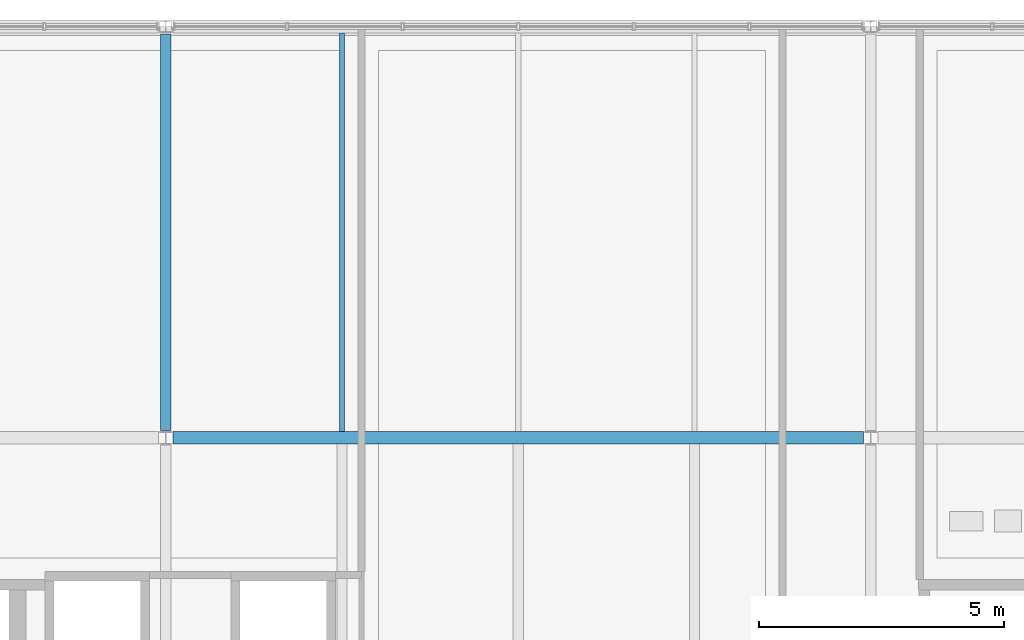
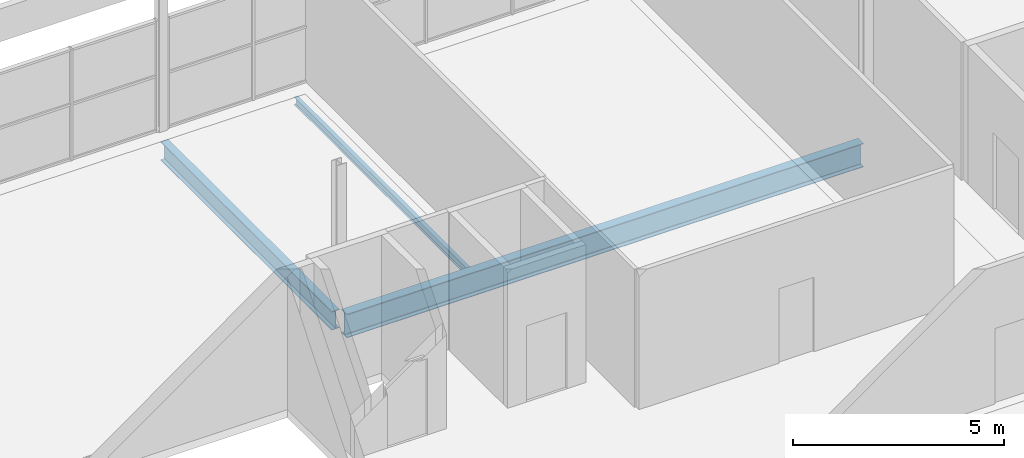
# One storey, part 20 of 43: 3 beams.
"""IFC4 building model written with IfcOpenShell, lengths in metres."""

from ifc_helpers import new_model, si_unit, direction, frame, origin, origin_2d, place, context, subcontext, project, spatial, i_section, extrude, material, material_profile, profile_set, type_object, element, save


model = new_model("IFC4")

# Units and contexts
model_context = context("Model", 3, precision=1e-05, world=origin(), true_north=direction((0.0, 1.0)))
body_context = subcontext(model_context, "Body", "Model", "MODEL_VIEW")
ifc_project = project(units=[si_unit("LENGTHUNIT", "METRE"), si_unit("AREAUNIT", "SQUARE_METRE"), si_unit("VOLUMEUNIT", "CUBIC_METRE"), si_unit("PLANEANGLEUNIT", "RADIAN"), si_unit("MASSUNIT", "GRAM", prefix="KILO"), si_unit("THERMODYNAMICTEMPERATUREUNIT", "KELVIN")], contexts=[model_context])

# Site, building, storey
site_placement = place(None, origin())
site = spatial("IfcSite", under=ifc_project, at=site_placement, CompositionType="ELEMENT")
building_placement = place(site_placement, origin())
building = spatial("IfcBuilding", under=site, at=building_placement, Name="Nduvali Passage Aquatics Centre", CompositionType="ELEMENT")
storey_placement = place(building_placement, frame((0.0, 0.0, 17.39990234375)))
storey = spatial("IfcBuildingStorey", under=building, at=storey_placement, Name="L04", CompositionType="ELEMENT", Elevation=17.39990234375)

# Beams
ifc_material = material(Name="Steel S355", Category="steel")
ifc_material_profile_1 = material_profile(ifc_material, i_section(OverallWidth=0.210693359375, OverallDepth=0.53955078125, WebThickness=0.01171875, FlangeThickness=0.018798828125, FilletRadius=0.0126953125, at=origin_2d()), Name="UKB 533x210x109")
ifc_profile_set_1 = profile_set([ifc_material_profile_1], Name="Steel S355")
beam_type_1 = type_object("IfcBeamType", Name="STR-BM-UKB533", PredefinedType="BEAM", material=ifc_profile_set_1)
beam_1_placement = place(storey_placement, frame((82.800048828125, 109.35009765625, -0.503662109375), z_axis=(0.0, 1.0, 0.0), x_axis=(-1.0, 0.0, 0.0)))
element("IfcBeam", 1, at=beam_1_placement, inside=storey, type_object=beam_type_1, Name="L04 Primary Y-Girder B6-1379", PredefinedType="BEAM", context=body_context, shape_type="SweptSolid", body=[
    extrude(i_section(OverallWidth=0.210693359375, OverallDepth=0.53955078125, WebThickness=0.01171875, FlangeThickness=0.018798828125, FilletRadius=0.0126953125, at=origin_2d()), origin(), (0.0, 0.0, 1.0), 8.099853515625),
])
ifc_material_profile_2 = material_profile(ifc_material, i_section(OverallWidth=0.253662109375, OverallDepth=0.68359375, WebThickness=0.012451171875, FlangeThickness=0.01904296875, FilletRadius=0.01513671875, at=origin_2d()), Name="UKB 686x254x140")
ifc_profile_set_2 = profile_set([ifc_material_profile_2], Name="Steel S355")
beam_type_2 = type_object("IfcBeamType", Name="STR-BM-UKB686", PredefinedType="BEAM", material=ifc_profile_set_2)
beam_2_placement = place(storey_placement, frame((82.949951171875, 109.199951171875, -0.57568359375), z_axis=(1.0, 0.0, 0.0), x_axis=(0.0, 1.0, 0.0)))
element("IfcBeam", 2, at=beam_2_placement, inside=storey, type_object=beam_type_2, Name="L04 Primary X-Girder B4-1345", PredefinedType="BEAM", context=body_context, shape_type="SweptSolid", body=[
    extrude(i_section(OverallWidth=0.253662109375, OverallDepth=0.68359375, WebThickness=0.012451171875, FlangeThickness=0.01904296875, FilletRadius=0.01513671875, at=origin_2d()), origin(), (0.0, 0.0, 1.0), 14.10009765625),
])
ifc_material_profile_3 = material_profile(ifc_material, i_section(OverallWidth=0.110107421875, OverallDepth=0.219970703125, WebThickness=0.005859375, FlangeThickness=0.00927734375, FilletRadius=0.011962890625, at=origin_2d()), Name="IPE 220")
ifc_profile_set_3 = profile_set([ifc_material_profile_3], Name="Steel S355")
beam_type_3 = type_object("IfcBeamType", Name="STR-JST-IPE220", PredefinedType="JOIST", material=ifc_profile_set_3)
beam_3_placement = place(storey_placement, frame((86.39990234375, 109.326904296875, -0.343994140625), z_axis=(0.0, 1.0, 0.0), x_axis=(-1.0, 0.0, 0.0)))
element("IfcBeam", 3, at=beam_3_placement, inside=storey, type_object=beam_type_3, Name="L04 Secondary Joist J9-1431", PredefinedType="JOIST", context=body_context, shape_type="SweptSolid", body=[
    extrude(i_section(OverallWidth=0.110107421875, OverallDepth=0.219970703125, WebThickness=0.005859375, FlangeThickness=0.00927734375, FilletRadius=0.011962890625, at=origin_2d()), origin(), (0.0, 0.0, 1.0), 8.139892578125),
])

save(model, "model.ifc")
